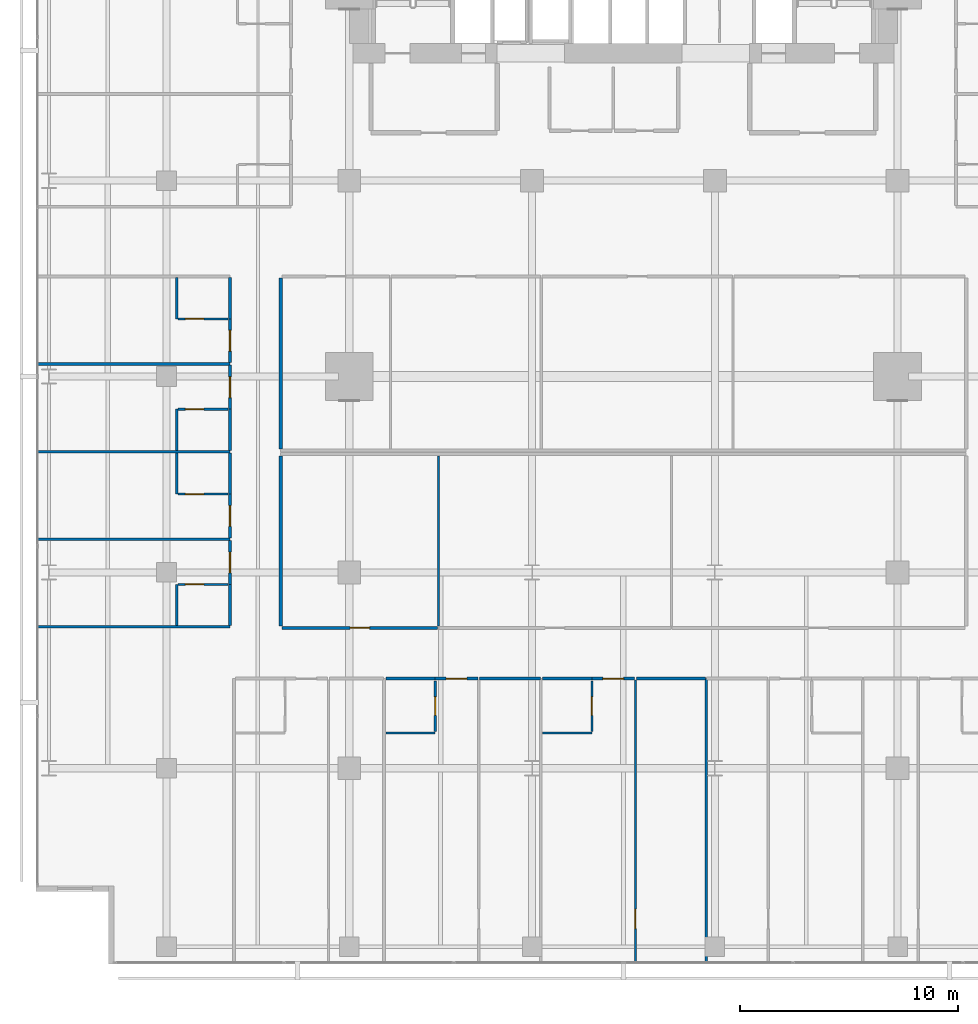
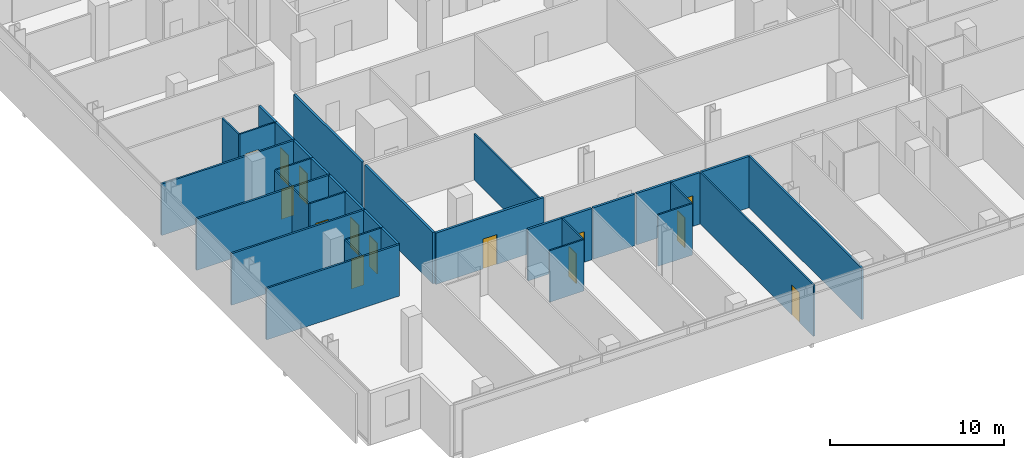
# One storey, part 33 of 41: 36 walls, 14 doors, 14 openings.
"""IFC4 building model written with IfcOpenShell, lengths in metres."""

from ifc_helpers import new_model, si_unit, direction, frame, frame_2d, origin, place, context, subcontext, project, spatial, rectangle, extrude, material, layer, layer_set, type_object, element, fill, save


model = new_model("IFC4")

# Units and contexts
model_context = context("Model", 3, precision=1e-05, world=origin(), true_north=direction((0.0, 1.0)))
body_context = subcontext(model_context, "Body", "Model", "MODEL_VIEW")
ifc_project = project(units=[si_unit("LENGTHUNIT", "METRE"), si_unit("AREAUNIT", "SQUARE_METRE"), si_unit("VOLUMEUNIT", "CUBIC_METRE"), si_unit("PLANEANGLEUNIT", "RADIAN"), si_unit("MASSUNIT", "GRAM", prefix="KILO")], contexts=[model_context])

# Site, building, storey
site_placement = place(None, origin())
site = spatial("IfcSite", under=ifc_project, at=site_placement, CompositionType="ELEMENT")
building_placement = place(site_placement, origin())
building = spatial("IfcBuilding", under=site, at=building_placement, Name="Maruvema Waterfront Hotel and Observation Tower", CompositionType="ELEMENT")
storey_placement = place(building_placement, frame((0.0, 0.0, 84.699951171875)))
storey = spatial("IfcBuildingStorey", under=building, at=storey_placement, Name="L20", CompositionType="ELEMENT", Elevation=84.699951171875)

# Walls
ifc_material_1 = material(Name="Twin-stud acoustic gypsum drywall", Category="gypsum")
ifc_layer_1 = layer(ifc_material_1, 0.14990234375, Name="Acoustic Corridor and Suite Demising Wall 150 mm")
ifc_layer_set_1 = layer_set([ifc_layer_1], Name="Twin-stud acoustic gypsum drywall")
wall_type_1 = type_object("IfcWallType", Name="Acoustic Corridor and Suite Demising Wall 150 mm", PredefinedType="PARTITIONING", material=ifc_layer_set_1)
wall_1_placement = place(storey_placement, frame((22.050048828125, 23.679931640625, 0.0), z_axis=(0.0, 0.0, 1.0), x_axis=(0.0, 1.0, 0.0)))
element("IfcWall", 1, at=wall_1_placement, inside=storey, type_object=wall_type_1, Name="L20 L20-INTN West Wall 023", PredefinedType="PARTITIONING", context=body_context, shape_type="SweptSolid", body=[
    extrude(rectangle(XDim=7.840087890625, YDim=0.14990234375, at=frame_2d((3.919921875, 0.0))), origin(), (0.0, 0.0, 1.0), 3.610107421875),
])
wall_2_placement = place(storey_placement, frame((22.050048828125, 15.530029296875, 0.0), z_axis=(0.0, 0.0, 1.0), x_axis=(0.0, 1.0, 0.0)))
element("IfcWall", 2, at=wall_2_placement, inside=storey, type_object=wall_type_1, Name="L20 L20-INTS West Wall 033", PredefinedType="PARTITIONING", context=body_context, shape_type="SweptSolid", body=[
    extrude(rectangle(XDim=7.830078125, YDim=0.14990234375, at=frame_2d((3.9150390625, 0.0))), origin(), (0.0, 0.0, 1.0), 3.610107421875),
])

# Wall, opening, door
wall_3_placement = place(storey_placement, frame((22.110107421875, 15.449951171875, 0.0), z_axis=(0.0, 0.0, 1.0), x_axis=(1.0, 0.0, 0.0)))
wall_3 = element("IfcWall", 3, at=wall_3_placement, inside=storey, type_object=wall_type_1, Name="L20 L20-INTS Front 1 035", PredefinedType="PARTITIONING", context=body_context, shape_type="SweptSolid", body=[
    extrude(rectangle(XDim=7.15478515625, YDim=0.14990234375, at=frame_2d((3.577392578125, 0.0))), origin(), (0.0, 0.0, 1.0), 3.610107421875),
])
opening_1_placement = place(wall_3_placement, frame((3.12744140625, 0.0, 0.0)))
opening_1 = element("IfcOpeningElement", 4, at=opening_1_placement, cuts=wall_3, Name="Opening DR-090", PredefinedType="OPENING", context=body_context, shape_type="SweptSolid", body=[
    extrude(rectangle(XDim=0.89990234375, YDim=2.10009765625, at=frame_2d((0.449951171875, 1.050048828125))), frame((0.0, 0.0849609375, 0.0), z_axis=(0.0, -1.0, 0.0), x_axis=(1.0, 0.0, 0.0)), (0.0, 0.0, 1.0), 0.169921875),
])
ifc_material_2 = material(Name="Solid-core lacquered timber leaf", Category="wood")
door_type_1 = type_object("IfcDoorType", Name="Accessible Toilet and Room Door 900x2100 mm", OperationType="NOTDEFINED", PredefinedType="DOOR", material=ifc_material_2)
door_1_placement = place(opening_1_placement, frame((0.89990234375, 0.0, 0.0), z_axis=(0.0, 0.0, 1.0), x_axis=(-1.0, 0.0, 0.0)))
door_1 = element("IfcDoor", 5, at=door_1_placement, inside=storey, type_object=door_type_1, Name="L20 Media Lounge Door", OperationType="SINGLE_SWING_RIGHT", OverallHeight=2.10009765625, OverallWidth=0.89990234375, PredefinedType="DOOR", context=body_context, shape_type="SweptSolid", body=[
    extrude(rectangle(XDim=0.89990234375, YDim=2.10009765625, at=frame_2d((0.449951171875, 1.050048828125))), frame((0.0, 0.02490234375, 0.0), z_axis=(0.0, -1.0, 0.0), x_axis=(1.0, 0.0, 0.0)), (0.0, 0.0, 1.0), 0.050048828125),
])
fill(opening_1, door_1)

# Wall
wall_4_placement = place(storey_placement, frame((26.8798828125, 13.1201171875, 0.0), z_axis=(0.0, 0.0, 1.0), x_axis=(1.0, 0.0, 0.0)))
element("IfcWall", 6, at=wall_4_placement, inside=storey, type_object=wall_type_1, Name="L20 Bath L20-S2 Back Wall 049", PredefinedType="PARTITIONING", context=body_context, shape_type="SweptSolid", body=[
    extrude(rectangle(XDim=2.27001953125, YDim=0.14990234375, at=frame_2d((1.135009765625, 0.0))), origin(), (0.0, 0.0, 1.0), 3.610107421875),
])

# Wall, opening, door
wall_5_placement = place(storey_placement, frame((29.14990234375, 13.1201171875, 0.0), z_axis=(0.0, 0.0, 1.0), x_axis=(1.0, 0.0, 0.0)))
wall_5 = element("IfcWall", 7, at=wall_5_placement, inside=storey, type_object=wall_type_1, Name="L20 Unit L20-S2 Corridor Wall 052", PredefinedType="PARTITIONING", context=body_context, shape_type="SweptSolid", body=[
    extrude(rectangle(XDim=1.960205078125, YDim=0.14990234375, at=frame_2d((0.97998046875, 0.0))), origin(), (0.0, 0.0, 1.0), 3.610107421875),
])
opening_2_placement = place(wall_5_placement, frame((0.5048828125, 0.0, 0.0)))
opening_2 = element("IfcOpeningElement", 8, at=opening_2_placement, cuts=wall_5, Name="Opening DR-095", PredefinedType="OPENING", context=body_context, shape_type="SweptSolid", body=[
    extrude(rectangle(XDim=0.949951171875, YDim=2.14990234375, at=frame_2d((0.47509765625, 1.074951171875))), frame((0.0, 0.0849609375, 0.0), z_axis=(0.0, -1.0, 0.0), x_axis=(1.0, 0.0, 0.0)), (0.0, 0.0, 1.0), 0.169921875),
])
ifc_material_3 = material(Name="Acoustic solid-core hardwood timber leaf", Category="wood")
door_type_2 = type_object("IfcDoorType", Name="Guestroom Entrance Fire Door 950x2150 mm", OperationType="NOTDEFINED", PredefinedType="DOOR", material=ifc_material_3)
door_2_placement = place(opening_2_placement, frame((0.949951171875, 0.0, 0.0), z_axis=(0.0, 0.0, 1.0), x_axis=(-1.0, 0.0, 0.0)))
door_2 = element("IfcDoor", 9, at=door_2_placement, inside=storey, type_object=door_type_2, Name="L20 Unit L20-S2 Entrance Door", OperationType="SINGLE_SWING_LEFT", OverallHeight=2.14990234375, OverallWidth=0.949951171875, PredefinedType="DOOR", context=body_context, shape_type="SweptSolid", body=[
    extrude(rectangle(XDim=0.949951171875, YDim=2.14990234375, at=frame_2d((0.47509765625, 1.074951171875))), frame((0.0, 0.02490234375, 0.0), z_axis=(0.0, -1.0, 0.0), x_axis=(1.0, 0.0, 0.0)), (0.0, 0.0, 1.0), 0.050048828125),
])
fill(opening_2, door_2)

# Walls
wall_6_placement = place(storey_placement, frame((31.18994140625, 13.1201171875, 0.0), z_axis=(0.0, 0.0, 1.0), x_axis=(1.0, 0.0, 0.0)))
element("IfcWall", 10, at=wall_6_placement, inside=storey, type_object=wall_type_1, Name="L20 Bedroom L20-S2 Back Wall 053", PredefinedType="PARTITIONING", context=body_context, shape_type="SweptSolid", body=[
    extrude(rectangle(XDim=2.7900390625, YDim=0.14990234375, at=frame_2d((1.39501953125, 0.0))), origin(), (0.0, 0.0, 1.0), 3.610107421875),
])
wall_7_placement = place(storey_placement, frame((34.080078125, 13.1201171875, 0.0), z_axis=(0.0, 0.0, 1.0), x_axis=(1.0, 0.0, 0.0)))
element("IfcWall", 11, at=wall_7_placement, inside=storey, type_object=wall_type_1, Name="L20 Bath L20-S3 Back Wall 056", PredefinedType="PARTITIONING", context=body_context, shape_type="SweptSolid", body=[
    extrude(rectangle(XDim=2.27001953125, YDim=0.14990234375, at=frame_2d((1.135009765625, 0.0))), origin(), (0.0, 0.0, 1.0), 3.610107421875),
])

# Wall, opening, door
wall_8_placement = place(storey_placement, frame((36.35009765625, 13.1201171875, 0.0), z_axis=(0.0, 0.0, 1.0), x_axis=(1.0, 0.0, 0.0)))
wall_8 = element("IfcWall", 12, at=wall_8_placement, inside=storey, type_object=wall_type_1, Name="L20 Unit L20-S3 Corridor Wall 059", PredefinedType="PARTITIONING", context=body_context, shape_type="SweptSolid", body=[
    extrude(rectangle(XDim=1.9599609375, YDim=0.14990234375, at=frame_2d((0.97998046875, 0.0))), origin(), (0.0, 0.0, 1.0), 3.610107421875),
])
opening_3_placement = place(wall_8_placement, frame((0.5048828125, 0.0, 0.0)))
opening_3 = element("IfcOpeningElement", 13, at=opening_3_placement, cuts=wall_8, Name="Opening DR-095", PredefinedType="OPENING", context=body_context, shape_type="SweptSolid", body=[
    extrude(rectangle(XDim=0.949951171875, YDim=2.14990234375, at=frame_2d((0.47509765625, 1.074951171875))), frame((0.0, 0.0849609375, 0.0), z_axis=(0.0, -1.0, 0.0), x_axis=(1.0, 0.0, 0.0)), (0.0, 0.0, 1.0), 0.169921875),
])
door_3_placement = place(opening_3_placement, frame((0.949951171875, 0.0, 0.0), z_axis=(0.0, 0.0, 1.0), x_axis=(-1.0, 0.0, 0.0)))
door_3 = element("IfcDoor", 14, at=door_3_placement, inside=storey, type_object=door_type_2, Name="L20 Unit L20-S3 Entrance Door", OperationType="SINGLE_SWING_RIGHT", OverallHeight=2.14990234375, OverallWidth=0.949951171875, PredefinedType="DOOR", context=body_context, shape_type="SweptSolid", body=[
    extrude(rectangle(XDim=0.949951171875, YDim=2.14990234375, at=frame_2d((0.47509765625, 1.074951171875))), frame((0.0, 0.02490234375, 0.0), z_axis=(0.0, -1.0, 0.0), x_axis=(1.0, 0.0, 0.0)), (0.0, 0.0, 1.0), 0.050048828125),
])
fill(opening_3, door_3)

# Walls
wall_9_placement = place(storey_placement, frame((38.389892578125, 13.1201171875, 0.0), z_axis=(0.0, 0.0, 1.0), x_axis=(1.0, 0.0, 0.0)))
element("IfcWall", 15, at=wall_9_placement, inside=storey, type_object=wall_type_1, Name="L20 Bedroom L20-S3 Back Wall 060", PredefinedType="PARTITIONING", context=body_context, shape_type="SweptSolid", body=[
    extrude(rectangle(XDim=3.190185546875, YDim=0.14990234375, at=frame_2d((1.59521484375, 0.0))), origin(), (0.0, 0.0, 1.0), 3.610107421875),
])
wall_10_placement = place(storey_placement, frame((19.719970703125, 15.56005859375, 0.0), z_axis=(0.0, 0.0, 1.0), x_axis=(0.0, 1.0, 0.0)))
element("IfcWall", 16, at=wall_10_placement, inside=storey, type_object=wall_type_1, Name="L20 Bath L20-W1 Wall 080", PredefinedType="PARTITIONING", context=body_context, shape_type="SweptSolid", body=[
    extrude(rectangle(XDim=1.889892578125, YDim=0.14990234375, at=frame_2d((0.94482421875, 0.0))), origin(), (0.0, 0.0, 1.0), 3.610107421875),
])

# Wall, opening, door
wall_11_placement = place(storey_placement, frame((19.719970703125, 17.449951171875, 0.0), z_axis=(0.0, 0.0, 1.0), x_axis=(0.0, 1.0, 0.0)))
wall_11 = element("IfcWall", 17, at=wall_11_placement, inside=storey, type_object=wall_type_1, Name="L20 Room L20-W1 Corridor Wall 081", PredefinedType="PARTITIONING", context=body_context, shape_type="SweptSolid", body=[
    extrude(rectangle(XDim=2.010009765625, YDim=0.14990234375, at=frame_2d((1.0048828125, 0.0))), origin(), (0.0, 0.0, 1.0), 3.610107421875),
])
opening_4_placement = place(wall_11_placement, frame((0.530029296875, 0.0, 0.0)))
opening_4 = element("IfcOpeningElement", 18, at=opening_4_placement, cuts=wall_11, Name="Opening DR-095", PredefinedType="OPENING", context=body_context, shape_type="SweptSolid", body=[
    extrude(rectangle(XDim=0.949951171875, YDim=2.14990234375, at=frame_2d((0.47509765625, 1.074951171875))), frame((0.0, 0.0849609375, 0.0), z_axis=(0.0, -1.0, 0.0), x_axis=(1.0, 0.0, 0.0)), (0.0, 0.0, 1.0), 0.169921875),
])
door_4_placement = place(opening_4_placement, origin())
door_4 = element("IfcDoor", 19, at=door_4_placement, inside=storey, type_object=door_type_2, Name="L20 Room L20-W1 Entrance Door", OperationType="SINGLE_SWING_LEFT", OverallHeight=2.14990234375, OverallWidth=0.949951171875, PredefinedType="DOOR", context=body_context, shape_type="SweptSolid", body=[
    extrude(rectangle(XDim=0.949951171875, YDim=2.14990234375, at=frame_2d((0.47509765625, 1.074951171875))), frame((0.0, 0.02490234375, 0.0), z_axis=(0.0, -1.0, 0.0), x_axis=(1.0, 0.0, 0.0)), (0.0, 0.0, 1.0), 0.050048828125),
])
fill(opening_4, door_4)

wall_12_placement = place(storey_placement, frame((19.719970703125, 19.580078125, 0.0), z_axis=(0.0, 0.0, 1.0), x_axis=(0.0, 1.0, 0.0)))
wall_12 = element("IfcWall", 20, at=wall_12_placement, inside=storey, type_object=wall_type_1, Name="L20 Room L20-W2 Corridor Wall 090", PredefinedType="PARTITIONING", context=body_context, shape_type="SweptSolid", body=[
    extrude(rectangle(XDim=2.02001953125, YDim=0.14990234375, at=frame_2d((1.010009765625, 0.0))), origin(), (0.0, 0.0, 1.0), 3.610107421875),
])
opening_5_placement = place(wall_12_placement, frame((0.534912109375, 0.0, 0.0)))
opening_5 = element("IfcOpeningElement", 21, at=opening_5_placement, cuts=wall_12, Name="Opening DR-095", PredefinedType="OPENING", context=body_context, shape_type="SweptSolid", body=[
    extrude(rectangle(XDim=0.949951171875, YDim=2.14990234375, at=frame_2d((0.47509765625, 1.074951171875))), frame((0.0, 0.0849609375, 0.0), z_axis=(0.0, -1.0, 0.0), x_axis=(1.0, 0.0, 0.0)), (0.0, 0.0, 1.0), 0.169921875),
])
door_5_placement = place(opening_5_placement, origin())
door_5 = element("IfcDoor", 22, at=door_5_placement, inside=storey, type_object=door_type_2, Name="L20 Room L20-W2 Entrance Door", OperationType="SINGLE_SWING_LEFT", OverallHeight=2.14990234375, OverallWidth=0.949951171875, PredefinedType="DOOR", context=body_context, shape_type="SweptSolid", body=[
    extrude(rectangle(XDim=0.949951171875, YDim=2.14990234375, at=frame_2d((0.47509765625, 1.074951171875))), frame((0.0, 0.02490234375, 0.0), z_axis=(0.0, -1.0, 0.0), x_axis=(1.0, 0.0, 0.0)), (0.0, 0.0, 1.0), 0.050048828125),
])
fill(opening_5, door_5)

# Walls
for number, where, z_axis, x_axis, name in (
    (23, (19.719970703125, 21.60009765625, 0.0), (0.0, 0.0, 1.0), (0.0, 1.0, 0.0), "L20 Bath L20-W2 Wall 091"),
    (24, (19.719970703125, 23.610107421875, 0.0), (0.0, 0.0, 1.0), (0.0, 1.0, 0.0), "L20 Bath L20-W3 Wall 100"),
):
    element("IfcWall", number, at=place(storey_placement, frame(where, z_axis=z_axis, x_axis=x_axis)), inside=storey, type_object=wall_type_1, Name=name, PredefinedType="PARTITIONING", context=body_context, shape_type="SweptSolid", body=[
        extrude(rectangle(XDim=1.889892578125, YDim=0.14990234375, at=frame_2d((0.94482421875, 0.0))), origin(), (0.0, 0.0, 1.0), 3.610107421875),
    ])

# Wall, opening, door
wall_13_placement = place(storey_placement, frame((19.719970703125, 25.5, 0.0), z_axis=(0.0, 0.0, 1.0), x_axis=(0.0, 1.0, 0.0)))
wall_13 = element("IfcWall", 25, at=wall_13_placement, inside=storey, type_object=wall_type_1, Name="L20 Room L20-W3 Corridor Wall 101", PredefinedType="PARTITIONING", context=body_context, shape_type="SweptSolid", body=[
    extrude(rectangle(XDim=2.02001953125, YDim=0.14990234375, at=frame_2d((1.010009765625, 0.0))), origin(), (0.0, 0.0, 1.0), 3.610107421875),
])
opening_6_placement = place(wall_13_placement, frame((0.534912109375, 0.0, 0.0)))
opening_6 = element("IfcOpeningElement", 26, at=opening_6_placement, cuts=wall_13, Name="Opening DR-095", PredefinedType="OPENING", context=body_context, shape_type="SweptSolid", body=[
    extrude(rectangle(XDim=0.949951171875, YDim=2.14990234375, at=frame_2d((0.47509765625, 1.074951171875))), frame((0.0, 0.0849609375, 0.0), z_axis=(0.0, -1.0, 0.0), x_axis=(1.0, 0.0, 0.0)), (0.0, 0.0, 1.0), 0.169921875),
])
door_6_placement = place(opening_6_placement, origin())
door_6 = element("IfcDoor", 27, at=door_6_placement, inside=storey, type_object=door_type_2, Name="L20 Room L20-W3 Entrance Door", OperationType="SINGLE_SWING_LEFT", OverallHeight=2.14990234375, OverallWidth=0.949951171875, PredefinedType="DOOR", context=body_context, shape_type="SweptSolid", body=[
    extrude(rectangle(XDim=0.949951171875, YDim=2.14990234375, at=frame_2d((0.47509765625, 1.074951171875))), frame((0.0, 0.02490234375, 0.0), z_axis=(0.0, -1.0, 0.0), x_axis=(1.0, 0.0, 0.0)), (0.0, 0.0, 1.0), 0.050048828125),
])
fill(opening_6, door_6)

wall_14_placement = place(storey_placement, frame((19.719970703125, 27.639892578125, 0.0), z_axis=(0.0, 0.0, 1.0), x_axis=(0.0, 1.0, 0.0)))
wall_14 = element("IfcWall", 28, at=wall_14_placement, inside=storey, type_object=wall_type_1, Name="L20 Room L20-W4 Corridor Wall 110", PredefinedType="PARTITIONING", context=body_context, shape_type="SweptSolid", body=[
    extrude(rectangle(XDim=2.010009765625, YDim=0.14990234375, at=frame_2d((1.0048828125, 0.0))), origin(), (0.0, 0.0, 1.0), 3.610107421875),
])
opening_7_placement = place(wall_14_placement, frame((0.530029296875, 0.0, 0.0)))
opening_7 = element("IfcOpeningElement", 29, at=opening_7_placement, cuts=wall_14, Name="Opening DR-095", PredefinedType="OPENING", context=body_context, shape_type="SweptSolid", body=[
    extrude(rectangle(XDim=0.949951171875, YDim=2.14990234375, at=frame_2d((0.47509765625, 1.074951171875))), frame((0.0, 0.0849609375, 0.0), z_axis=(0.0, -1.0, 0.0), x_axis=(1.0, 0.0, 0.0)), (0.0, 0.0, 1.0), 0.169921875),
])
door_7_placement = place(opening_7_placement, origin())
door_7 = element("IfcDoor", 30, at=door_7_placement, inside=storey, type_object=door_type_2, Name="L20 Room L20-W4 Entrance Door", OperationType="SINGLE_SWING_LEFT", OverallHeight=2.14990234375, OverallWidth=0.949951171875, PredefinedType="DOOR", context=body_context, shape_type="SweptSolid", body=[
    extrude(rectangle(XDim=0.949951171875, YDim=2.14990234375, at=frame_2d((0.47509765625, 1.074951171875))), frame((0.0, 0.02490234375, 0.0), z_axis=(0.0, -1.0, 0.0), x_axis=(1.0, 0.0, 0.0)), (0.0, 0.0, 1.0), 0.050048828125),
])
fill(opening_7, door_7)

# Walls
wall_15_placement = place(storey_placement, frame((19.719970703125, 29.64990234375, 0.0), z_axis=(0.0, 0.0, 1.0), x_axis=(0.0, 1.0, 0.0)))
element("IfcWall", 31, at=wall_15_placement, inside=storey, type_object=wall_type_1, Name="L20 Bath L20-W4 Wall 111", PredefinedType="PARTITIONING", context=body_context, shape_type="SweptSolid", body=[
    extrude(rectangle(XDim=1.89013671875, YDim=0.14990234375, at=frame_2d((0.945068359375, 0.0))), origin(), (0.0, 0.0, 1.0), 3.610107421875),
])
ifc_material_4 = material(Name="Moisture-resistant cement-board drywall", Category="gypsum")
ifc_layer_2 = layer(ifc_material_4, 0.10009765625, Name="En-Suite Moisture-Resistant Partition 100 mm")
ifc_layer_set_2 = layer_set([ifc_layer_2], Name="Moisture-resistant cement-board drywall")
wall_type_2 = type_object("IfcWallType", Name="En-Suite Moisture-Resistant Partition 100 mm", PredefinedType="PARTITIONING", material=ifc_layer_set_2)
wall_16_placement = place(storey_placement, frame((29.294921875, 15.530029296875, 0.0), z_axis=(0.0, 0.0, 1.0), x_axis=(0.0, 1.0, 0.0)))
element("IfcWall", 32, at=wall_16_placement, inside=storey, type_object=wall_type_2, Name="L20 L20-INTS Split 1 036", PredefinedType="PARTITIONING", context=body_context, shape_type="SweptSolid", body=[
    extrude(rectangle(XDim=7.830078125, YDim=0.10009765625, at=frame_2d((3.9150390625, 0.0))), origin(), (0.0, 0.0, 1.0), 3.255126953125),
])
wall_17_placement = place(storey_placement, frame((26.8798828125, 10.6201171875, 0.0), z_axis=(0.0, 0.0, 1.0), x_axis=(1.0, 0.0, 0.0)))
element("IfcWall", 33, at=wall_17_placement, inside=storey, type_object=wall_type_2, Name="L20 En-Suite L20-S2 South 050", PredefinedType="PARTITIONING", context=body_context, shape_type="SweptSolid", body=[
    extrude(rectangle(XDim=2.27001953125, YDim=0.10009765625, at=frame_2d((1.135009765625, 0.0))), origin(), (0.0, 0.0, 1.0), 3.610107421875),
])

# Wall, opening, door
wall_18_placement = place(storey_placement, frame((29.14990234375, 10.679931640625, 0.0), z_axis=(0.0, 0.0, 1.0), x_axis=(0.0, 1.0, 0.0)))
wall_18 = element("IfcWall", 34, at=wall_18_placement, inside=storey, type_object=wall_type_2, Name="L20 En-Suite L20-S2 East 051", PredefinedType="PARTITIONING", context=body_context, shape_type="SweptSolid", body=[
    extrude(rectangle(XDim=2.340087890625, YDim=0.10009765625, at=frame_2d((1.169921875, 0.0))), origin(), (0.0, 0.0, 1.0), 3.610107421875),
])
opening_8_placement = place(wall_18_placement, frame((0.7451171875, 0.0, 0.0)))
opening_8 = element("IfcOpeningElement", 35, at=opening_8_placement, cuts=wall_18, Name="Opening DR-085", PredefinedType="OPENING", context=body_context, shape_type="SweptSolid", body=[
    extrude(rectangle(XDim=0.85009765625, YDim=2.10009765625, at=frame_2d((0.425048828125, 1.050048828125))), frame((0.0, 0.06005859375, 0.0), z_axis=(0.0, -1.0, 0.0), x_axis=(1.0, 0.0, 0.0)), (0.0, 0.0, 1.0), 0.1201171875),
])
ifc_material_5 = material(Name="Moisture-resistant solid timber leaf", Category="wood")
door_type_3 = type_object("IfcDoorType", Name="En-Suite Bathroom Door 850x2100 mm", OperationType="NOTDEFINED", PredefinedType="DOOR", material=ifc_material_5)
door_8_placement = place(opening_8_placement, frame((0.85009765625, 0.0, 0.0), z_axis=(0.0, 0.0, 1.0), x_axis=(-1.0, 0.0, 0.0)))
door_8 = element("IfcDoor", 36, at=door_8_placement, inside=storey, type_object=door_type_3, Name="L20 En-Suite L20-S2 Door", OperationType="SINGLE_SWING_RIGHT", OverallHeight=2.10009765625, OverallWidth=0.85009765625, PredefinedType="DOOR", context=body_context, shape_type="SweptSolid", body=[
    extrude(rectangle(XDim=0.85009765625, YDim=2.10009765625, at=frame_2d((0.425048828125, 1.050048828125))), frame((0.0, 0.02490234375, 0.0), z_axis=(0.0, -1.0, 0.0), x_axis=(1.0, 0.0, 0.0)), (0.0, 0.0, 1.0), 0.050048828125),
])
fill(opening_8, door_8)

# Wall
wall_19_placement = place(storey_placement, frame((34.080078125, 10.6201171875, 0.0), z_axis=(0.0, 0.0, 1.0), x_axis=(1.0, 0.0, 0.0)))
element("IfcWall", 37, at=wall_19_placement, inside=storey, type_object=wall_type_2, Name="L20 En-Suite L20-S3 South 057", PredefinedType="PARTITIONING", context=body_context, shape_type="SweptSolid", body=[
    extrude(rectangle(XDim=2.27001953125, YDim=0.10009765625, at=frame_2d((1.135009765625, 0.0))), origin(), (0.0, 0.0, 1.0), 3.610107421875),
])

# Wall, opening, door
wall_20_placement = place(storey_placement, frame((36.35009765625, 10.679931640625, 0.0), z_axis=(0.0, 0.0, 1.0), x_axis=(0.0, 1.0, 0.0)))
wall_20 = element("IfcWall", 38, at=wall_20_placement, inside=storey, type_object=wall_type_2, Name="L20 En-Suite L20-S3 East 058", PredefinedType="PARTITIONING", context=body_context, shape_type="SweptSolid", body=[
    extrude(rectangle(XDim=2.340087890625, YDim=0.10009765625, at=frame_2d((1.169921875, 0.0))), origin(), (0.0, 0.0, 1.0), 3.610107421875),
])
opening_9_placement = place(wall_20_placement, frame((0.7451171875, 0.0, 0.0)))
opening_9 = element("IfcOpeningElement", 39, at=opening_9_placement, cuts=wall_20, Name="Opening DR-085", PredefinedType="OPENING", context=body_context, shape_type="SweptSolid", body=[
    extrude(rectangle(XDim=0.85009765625, YDim=2.10009765625, at=frame_2d((0.425048828125, 1.050048828125))), frame((0.0, 0.06005859375, 0.0), z_axis=(0.0, -1.0, 0.0), x_axis=(1.0, 0.0, 0.0)), (0.0, 0.0, 1.0), 0.1201171875),
])
door_9_placement = place(opening_9_placement, frame((0.85009765625, 0.0, 0.0), z_axis=(0.0, 0.0, 1.0), x_axis=(-1.0, 0.0, 0.0)))
door_9 = element("IfcDoor", 40, at=door_9_placement, inside=storey, type_object=door_type_3, Name="L20 En-Suite L20-S3 Door", OperationType="SINGLE_SWING_LEFT", OverallHeight=2.10009765625, OverallWidth=0.85009765625, PredefinedType="DOOR", context=body_context, shape_type="SweptSolid", body=[
    extrude(rectangle(XDim=0.85009765625, YDim=2.10009765625, at=frame_2d((0.425048828125, 1.050048828125))), frame((0.0, 0.02490234375, 0.0), z_axis=(0.0, -1.0, 0.0), x_axis=(1.0, 0.0, 0.0)), (0.0, 0.0, 1.0), 0.050048828125),
])
fill(opening_9, door_9)

wall_21_placement = place(storey_placement, frame((38.35009765625, 0.030029296875, 0.0), z_axis=(0.0, 0.0, 1.0), x_axis=(0.0, 1.0, 0.0)))
wall_21 = element("IfcWall", 41, at=wall_21_placement, inside=storey, type_object=wall_type_2, Name="L20 Suite L20-S3 Split 061", PredefinedType="PARTITIONING", context=body_context, shape_type="SweptSolid", body=[
    extrude(rectangle(XDim=13.030029296875, YDim=0.10009765625, at=frame_2d((6.51513671875, 0.0))), origin(), (0.0, 0.0, 1.0), 3.610107421875),
])
opening_10_placement = place(wall_21_placement, frame((1.60009765625, 0.0, 0.0)))
opening_10 = element("IfcOpeningElement", 42, at=opening_10_placement, cuts=wall_21, Name="Opening DR-090", PredefinedType="OPENING", context=body_context, shape_type="SweptSolid", body=[
    extrude(rectangle(XDim=0.89990234375, YDim=2.10009765625, at=frame_2d((0.449951171875, 1.050048828125))), frame((0.0, 0.06005859375, 0.0), z_axis=(0.0, -1.0, 0.0), x_axis=(1.0, 0.0, 0.0)), (0.0, 0.0, 1.0), 0.1201171875),
])
door_10_placement = place(opening_10_placement, origin())
door_10 = element("IfcDoor", 43, at=door_10_placement, inside=storey, type_object=door_type_1, Name="L20 Suite L20-S3 Bedroom Door", OperationType="SINGLE_SWING_LEFT", OverallHeight=2.10009765625, OverallWidth=0.89990234375, PredefinedType="DOOR", context=body_context, shape_type="SweptSolid", body=[
    extrude(rectangle(XDim=0.89990234375, YDim=2.10009765625, at=frame_2d((0.449951171875, 1.050048828125))), frame((0.0, 0.02490234375, 0.0), z_axis=(0.0, -1.0, 0.0), x_axis=(1.0, 0.0, 0.0)), (0.0, 0.0, 1.0), 0.050048828125),
])
fill(opening_10, door_10)

# Wall
wall_22_placement = place(storey_placement, frame((17.27001953125, 15.56005859375, 0.0), z_axis=(0.0, 0.0, 1.0), x_axis=(0.0, 1.0, 0.0)))
element("IfcWall", 44, at=wall_22_placement, inside=storey, type_object=wall_type_2, Name="L20 En-Suite L20-W1 W 082", PredefinedType="PARTITIONING", context=body_context, shape_type="SweptSolid", body=[
    extrude(rectangle(XDim=1.889892578125, YDim=0.10009765625, at=frame_2d((0.94482421875, 0.0))), origin(), (0.0, 0.0, 1.0), 3.610107421875),
])

# Wall, opening, door
wall_23_placement = place(storey_placement, frame((17.320068359375, 17.449951171875, 0.0), z_axis=(0.0, 0.0, 1.0), x_axis=(1.0, 0.0, 0.0)))
wall_23 = element("IfcWall", 45, at=wall_23_placement, inside=storey, type_object=wall_type_2, Name="L20 En-Suite L20-W1 N 083", PredefinedType="PARTITIONING", context=body_context, shape_type="SweptSolid", body=[
    extrude(rectangle(XDim=2.300048828125, YDim=0.10009765625, at=frame_2d((1.14990234375, 0.0))), origin(), (0.0, 0.0, 1.0), 3.610107421875),
])
opening_11_placement = place(wall_23_placement, frame((0.35009765625, 0.0, 0.0)))
opening_11 = element("IfcOpeningElement", 46, at=opening_11_placement, cuts=wall_23, Name="Opening DR-085", PredefinedType="OPENING", context=body_context, shape_type="SweptSolid", body=[
    extrude(rectangle(XDim=0.85009765625, YDim=2.10009765625, at=frame_2d((0.425048828125, 1.050048828125))), frame((0.0, 0.06005859375, 0.0), z_axis=(0.0, -1.0, 0.0), x_axis=(1.0, 0.0, 0.0)), (0.0, 0.0, 1.0), 0.1201171875),
])
door_11_placement = place(opening_11_placement, origin())
door_11 = element("IfcDoor", 47, at=door_11_placement, inside=storey, type_object=door_type_3, Name="L20 En-Suite L20-W1 Door", OperationType="SINGLE_SWING_RIGHT", OverallHeight=2.10009765625, OverallWidth=0.85009765625, PredefinedType="DOOR", context=body_context, shape_type="SweptSolid", body=[
    extrude(rectangle(XDim=0.85009765625, YDim=2.10009765625, at=frame_2d((0.425048828125, 1.050048828125))), frame((0.0, 0.02490234375, 0.0), z_axis=(0.0, -1.0, 0.0), x_axis=(1.0, 0.0, 0.0)), (0.0, 0.0, 1.0), 0.050048828125),
])
fill(opening_11, door_11)

# Wall
wall_24_placement = place(storey_placement, frame((17.27001953125, 21.60009765625, 0.0), z_axis=(0.0, 0.0, 1.0), x_axis=(0.0, 1.0, 0.0)))
element("IfcWall", 48, at=wall_24_placement, inside=storey, type_object=wall_type_2, Name="L20 En-Suite L20-W2 W 092", PredefinedType="PARTITIONING", context=body_context, shape_type="SweptSolid", body=[
    extrude(rectangle(XDim=1.889892578125, YDim=0.10009765625, at=frame_2d((0.94482421875, 0.0))), origin(), (0.0, 0.0, 1.0), 3.610107421875),
])

# Wall, opening, door
wall_25_placement = place(storey_placement, frame((17.320068359375, 21.60009765625, 0.0), z_axis=(0.0, 0.0, 1.0), x_axis=(1.0, 0.0, 0.0)))
wall_25 = element("IfcWall", 49, at=wall_25_placement, inside=storey, type_object=wall_type_2, Name="L20 En-Suite L20-W2 S 093", PredefinedType="PARTITIONING", context=body_context, shape_type="SweptSolid", body=[
    extrude(rectangle(XDim=2.300048828125, YDim=0.10009765625, at=frame_2d((1.14990234375, 0.0))), origin(), (0.0, 0.0, 1.0), 3.610107421875),
])
opening_12_placement = place(wall_25_placement, frame((0.35009765625, 0.0, 0.0)))
opening_12 = element("IfcOpeningElement", 50, at=opening_12_placement, cuts=wall_25, Name="Opening DR-085", PredefinedType="OPENING", context=body_context, shape_type="SweptSolid", body=[
    extrude(rectangle(XDim=0.85009765625, YDim=2.10009765625, at=frame_2d((0.425048828125, 1.050048828125))), frame((0.0, 0.06005859375, 0.0), z_axis=(0.0, -1.0, 0.0), x_axis=(1.0, 0.0, 0.0)), (0.0, 0.0, 1.0), 0.1201171875),
])
door_12_placement = place(opening_12_placement, frame((0.85009765625, 0.0, 0.0), z_axis=(0.0, 0.0, 1.0), x_axis=(-1.0, 0.0, 0.0)))
door_12 = element("IfcDoor", 51, at=door_12_placement, inside=storey, type_object=door_type_3, Name="L20 En-Suite L20-W2 Door", OperationType="SINGLE_SWING_RIGHT", OverallHeight=2.10009765625, OverallWidth=0.85009765625, PredefinedType="DOOR", context=body_context, shape_type="SweptSolid", body=[
    extrude(rectangle(XDim=0.85009765625, YDim=2.10009765625, at=frame_2d((0.425048828125, 1.050048828125))), frame((0.0, 0.02490234375, 0.0), z_axis=(0.0, -1.0, 0.0), x_axis=(1.0, 0.0, 0.0)), (0.0, 0.0, 1.0), 0.050048828125),
])
fill(opening_12, door_12)

# Wall
wall_26_placement = place(storey_placement, frame((17.27001953125, 23.610107421875, 0.0), z_axis=(0.0, 0.0, 1.0), x_axis=(0.0, 1.0, 0.0)))
element("IfcWall", 52, at=wall_26_placement, inside=storey, type_object=wall_type_2, Name="L20 En-Suite L20-W3 W 102", PredefinedType="PARTITIONING", context=body_context, shape_type="SweptSolid", body=[
    extrude(rectangle(XDim=1.889892578125, YDim=0.10009765625, at=frame_2d((0.94482421875, 0.0))), origin(), (0.0, 0.0, 1.0), 3.610107421875),
])

# Wall, opening, door
wall_27_placement = place(storey_placement, frame((17.320068359375, 25.5, 0.0), z_axis=(0.0, 0.0, 1.0), x_axis=(1.0, 0.0, 0.0)))
wall_27 = element("IfcWall", 53, at=wall_27_placement, inside=storey, type_object=wall_type_2, Name="L20 En-Suite L20-W3 N 103", PredefinedType="PARTITIONING", context=body_context, shape_type="SweptSolid", body=[
    extrude(rectangle(XDim=2.300048828125, YDim=0.10009765625, at=frame_2d((1.14990234375, 0.0))), origin(), (0.0, 0.0, 1.0), 3.610107421875),
])
opening_13_placement = place(wall_27_placement, frame((0.35009765625, 0.0, 0.0)))
opening_13 = element("IfcOpeningElement", 54, at=opening_13_placement, cuts=wall_27, Name="Opening DR-085", PredefinedType="OPENING", context=body_context, shape_type="SweptSolid", body=[
    extrude(rectangle(XDim=0.85009765625, YDim=2.10009765625, at=frame_2d((0.425048828125, 1.050048828125))), frame((0.0, 0.06005859375, 0.0), z_axis=(0.0, -1.0, 0.0), x_axis=(1.0, 0.0, 0.0)), (0.0, 0.0, 1.0), 0.1201171875),
])
door_13_placement = place(opening_13_placement, origin())
door_13 = element("IfcDoor", 55, at=door_13_placement, inside=storey, type_object=door_type_3, Name="L20 En-Suite L20-W3 Door", OperationType="SINGLE_SWING_RIGHT", OverallHeight=2.10009765625, OverallWidth=0.85009765625, PredefinedType="DOOR", context=body_context, shape_type="SweptSolid", body=[
    extrude(rectangle(XDim=0.85009765625, YDim=2.10009765625, at=frame_2d((0.425048828125, 1.050048828125))), frame((0.0, 0.02490234375, 0.0), z_axis=(0.0, -1.0, 0.0), x_axis=(1.0, 0.0, 0.0)), (0.0, 0.0, 1.0), 0.050048828125),
])
fill(opening_13, door_13)

# Wall
wall_28_placement = place(storey_placement, frame((17.27001953125, 29.64990234375, 0.0), z_axis=(0.0, 0.0, 1.0), x_axis=(0.0, 1.0, 0.0)))
element("IfcWall", 56, at=wall_28_placement, inside=storey, type_object=wall_type_2, Name="L20 En-Suite L20-W4 W 112", PredefinedType="PARTITIONING", context=body_context, shape_type="SweptSolid", body=[
    extrude(rectangle(XDim=1.89013671875, YDim=0.10009765625, at=frame_2d((0.945068359375, 0.0))), origin(), (0.0, 0.0, 1.0), 3.610107421875),
])

# Wall, opening, door
wall_29_placement = place(storey_placement, frame((17.320068359375, 29.64990234375, 0.0), z_axis=(0.0, 0.0, 1.0), x_axis=(1.0, 0.0, 0.0)))
wall_29 = element("IfcWall", 57, at=wall_29_placement, inside=storey, type_object=wall_type_2, Name="L20 En-Suite L20-W4 S 113", PredefinedType="PARTITIONING", context=body_context, shape_type="SweptSolid", body=[
    extrude(rectangle(XDim=2.300048828125, YDim=0.10009765625, at=frame_2d((1.14990234375, 0.0))), origin(), (0.0, 0.0, 1.0), 3.610107421875),
])
opening_14_placement = place(wall_29_placement, frame((0.35009765625, 0.0, 0.0)))
opening_14 = element("IfcOpeningElement", 58, at=opening_14_placement, cuts=wall_29, Name="Opening DR-085", PredefinedType="OPENING", context=body_context, shape_type="SweptSolid", body=[
    extrude(rectangle(XDim=0.85009765625, YDim=2.10009765625, at=frame_2d((0.425048828125, 1.050048828125))), frame((0.0, 0.06005859375, 0.0), z_axis=(0.0, -1.0, 0.0), x_axis=(1.0, 0.0, 0.0)), (0.0, 0.0, 1.0), 0.1201171875),
])
door_14_placement = place(opening_14_placement, frame((0.85009765625, 0.0, 0.0), z_axis=(0.0, 0.0, 1.0), x_axis=(-1.0, 0.0, 0.0)))
door_14 = element("IfcDoor", 59, at=door_14_placement, inside=storey, type_object=door_type_3, Name="L20 En-Suite L20-W4 Door", OperationType="SINGLE_SWING_RIGHT", OverallHeight=2.10009765625, OverallWidth=0.85009765625, PredefinedType="DOOR", context=body_context, shape_type="SweptSolid", body=[
    extrude(rectangle(XDim=0.85009765625, YDim=2.10009765625, at=frame_2d((0.425048828125, 1.050048828125))), frame((0.0, 0.02490234375, 0.0), z_axis=(0.0, -1.0, 0.0), x_axis=(1.0, 0.0, 0.0)), (0.0, 0.0, 1.0), 0.050048828125),
])
fill(opening_14, door_14)

# Walls
ifc_material_6 = material(Name="Acoustic gypsum plasterboard drywall", Category="gypsum")
ifc_layer_3 = layer(ifc_material_6, 0.125, Name="Guestroom Acoustic Demising Wall 125 mm")
ifc_layer_set_3 = layer_set([ifc_layer_3], Name="Acoustic gypsum plasterboard drywall")
wall_type_3 = type_object("IfcWallType", Name="Guestroom Acoustic Demising Wall 125 mm", PredefinedType="PARTITIONING", material=ifc_layer_set_3)
wall_30_placement = place(storey_placement, frame((41.60009765625, 0.10009765625, 0.0), z_axis=(0.0, 0.0, 1.0), x_axis=(0.0, 1.0, 0.0)))
element("IfcWall", 60, at=wall_30_placement, inside=storey, type_object=wall_type_3, Name="L20 S Demising 4 062", PredefinedType="PARTITIONING", context=body_context, shape_type="SweptSolid", body=[
    extrude(rectangle(XDim=13.02001953125, YDim=0.125, at=frame_2d((6.510009765625, 0.0))), origin(), (0.0, 0.0, 1.0), 3.610107421875),
])
for number, where, z_axis, x_axis, name in (
    (61, (10.89990234375, 15.5, 0.0), (0.0, 0.0, 1.0), (1.0, 0.0, 0.0), "L20 W Bot End 076"),
    (62, (10.89990234375, 19.52001953125, 0.0), (0.0, 0.0, 1.0), (1.0, 0.0, 0.0), "L20 W Demising 2 088"),
    (63, (10.89990234375, 23.550048828125, 0.0), (0.0, 0.0, 1.0), (1.0, 0.0, 0.0), "L20 W Demising 3 098"),
    (64, (10.89990234375, 27.580078125, 0.0), (0.0, 0.0, 1.0), (1.0, 0.0, 0.0), "L20 W Demising 4 108"),
):
    element("IfcWall", number, at=place(storey_placement, frame(where, z_axis=z_axis, x_axis=x_axis)), inside=storey, type_object=wall_type_3, Name=name, PredefinedType="PARTITIONING", context=body_context, shape_type="SweptSolid", body=[
        extrude(rectangle(XDim=8.820068359375, YDim=0.125, at=frame_2d((4.41015625, 0.0))), origin(), (0.0, 0.0, 1.0), 3.610107421875),
    ])

save(model, "model.ifc")
